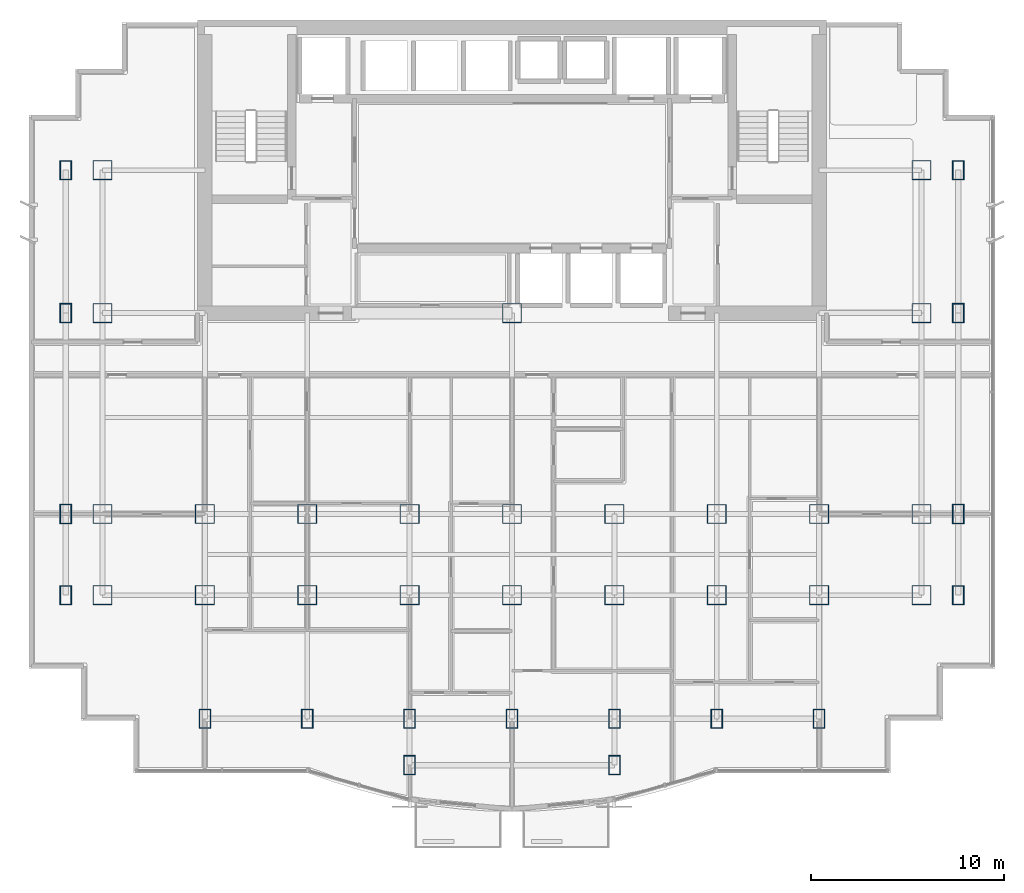
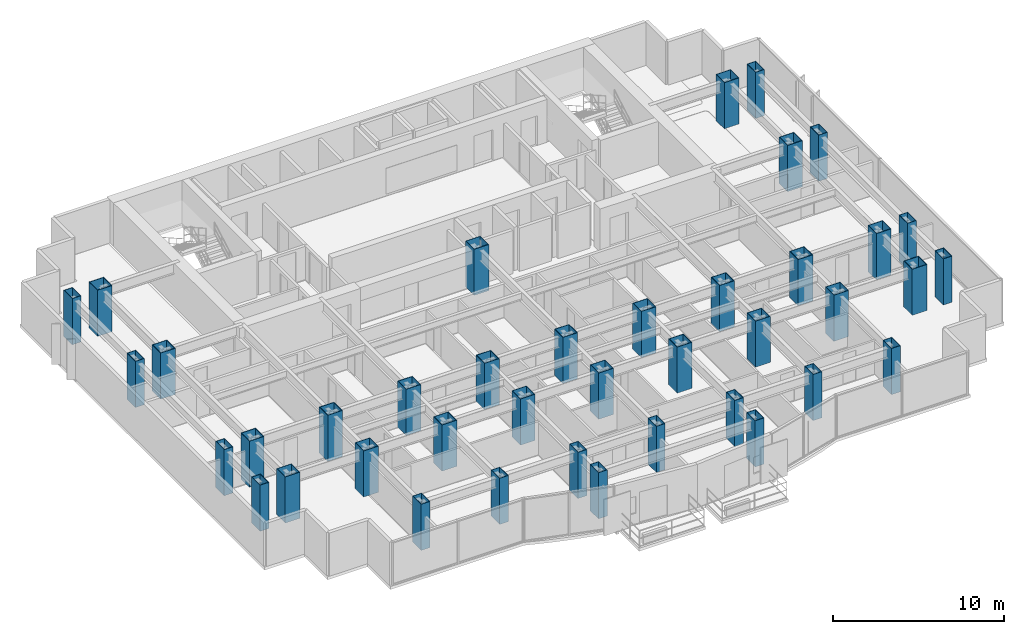
# One storey, part 1 of 12: 40 columns.
"""IFC4 building model written with IfcOpenShell, lengths in metres."""

import ifcopenshell
import ifcopenshell.guid

model = None  # the IFC model being written
_history = None  # IfcOwnerHistory: only IFC2X3 demands one
_inside = {}  # id of a spatial element -> (the spatial element, [elements in it])
_under = {}  # id of a project, library or spatial element -> (it, [spatial elements below it])
_declared = {}  # id of a project -> (the project, [libraries it declares])
_typed = {}  # id of a type object -> (the type object, [elements of that type])
_made_of = {}  # id of a material, layer set ... -> (it, [elements and type objects made of it])


def new_model(schema):
    """Start an empty IFC model of exactly this schema.

    Asked for "IFC4X3", IfcOpenShell would pick the latest addendum, in which some entities
    have other attributes; the version numbers below select the first issue.
    IFC2X3 requires an IfcOwnerHistory on every rooted entity: one is made here for all.
    """
    global model, _history
    if schema == "IFC4X3":
        model = ifcopenshell.file(schema_version=(4, 3, 0, 0))
    else:
        model = ifcopenshell.file(schema=schema)
    _inside.clear()
    _under.clear()
    _declared.clear()
    _typed.clear()
    _made_of.clear()
    _history = None
    if model.schema == "IFC2X3":
        org = make("IfcOrganization", Name="unknown")
        user = make(
            "IfcPersonAndOrganization",
            ThePerson=make("IfcPerson", FamilyName="unknown"),
            TheOrganization=org,
        )
        app = make(
            "IfcApplication",
            ApplicationDeveloper=org,
            Version="unknown",
            ApplicationFullName="unknown",
            ApplicationIdentifier="unknown",
        )
        _history = make(
            "IfcOwnerHistory",
            OwningUser=user,
            OwningApplication=app,
            ChangeAction="ADDED",
            CreationDate=0,
        )
    return model


def make(cls, **values):
    """One entity of the class cls with the attributes given. An attribute that is None is left unset."""
    return model.create_entity(
        cls, **{name: value for name, value in values.items() if value is not None}
    )


def rooted(cls, **values):
    """An entity with a GlobalId (a new one), such as an element, a storey or a relation."""
    return make(cls, GlobalId=ifcopenshell.guid.new(), OwnerHistory=_history, **values)


def si_unit(unit_type, name, prefix=None):
    """IfcSIUnit, for example si_unit("LENGTHUNIT", "METRE", prefix="MILLI")."""
    return make("IfcSIUnit", UnitType=unit_type, Prefix=prefix, Name=name)


def assignment(units):
    """IfcUnitAssignment: the units of a project."""
    return None if units is None else make("IfcUnitAssignment", Units=units)


def point(xyz):
    """IfcCartesianPoint."""
    return None if xyz is None else make("IfcCartesianPoint", Coordinates=xyz)


def direction(xyz):
    """IfcDirection."""
    return None if xyz is None else make("IfcDirection", DirectionRatios=xyz)


def frame(location, z_axis=None, x_axis=None):
    """IfcAxis2Placement3D, a coordinate frame: its origin and axes. An axis left out is left unset."""
    return make(
        "IfcAxis2Placement3D",
        Location=point(location),
        Axis=direction(z_axis),
        RefDirection=direction(x_axis),
    )


def frame_2d(location, x_axis=None):
    """IfcAxis2Placement2D, a coordinate frame in the plane: its origin and x axis."""
    return make(
        "IfcAxis2Placement2D", Location=point(location), RefDirection=direction(x_axis)
    )


def origin():
    """The frame at (0, 0, 0) with its axes left unset."""
    return frame((0.0, 0.0, 0.0))


def origin_2d():
    """The frame at (0, 0) in the plane with its x axis left unset."""
    return frame_2d((0.0, 0.0))


def place(relative_to, where):
    """IfcLocalPlacement: puts the frame where relative to a parent placement (None: the world)."""
    return make(
        "IfcLocalPlacement", PlacementRelTo=relative_to, RelativePlacement=where
    )


def context(
    kind, dimensions, precision=None, world=None, true_north=None, identifier=None
):
    """IfcGeometricRepresentationContext, for example the 3D "Model" context."""
    return make(
        "IfcGeometricRepresentationContext",
        ContextIdentifier=identifier,
        ContextType=kind,
        CoordinateSpaceDimension=dimensions,
        Precision=precision,
        WorldCoordinateSystem=world,
        TrueNorth=true_north,
    )


def subcontext(parent, identifier, kind, view, scale=None):
    """IfcGeometricRepresentationSubContext, for example "Body" below "Model"."""
    return make(
        "IfcGeometricRepresentationSubContext",
        ContextIdentifier=identifier,
        ContextType=kind,
        ParentContext=parent,
        TargetScale=scale,
        TargetView=view,
    )


def project(units=None, contexts=None):
    """IfcProject with its units and contexts."""
    return rooted(
        "IfcProject",
        Name="project",
        RepresentationContexts=contexts,
        UnitsInContext=assignment(units),
    )


def spatial(cls, under=None, at=None, **own):
    """A site, building, storey or space (cls), placed at a placement, below another one or the project."""
    s = rooted(cls, ObjectPlacement=at, **own)
    if under is not None:
        _under.setdefault(under.id(), (under, []))[1].append(s)
    return s


def profile(cls, at=None, kind="AREA", **sizes):
    """A parametric profile (cls). Its sizes go by their IFC names, for example OverallWidth=200.0."""
    return make(cls, ProfileType=kind, Position=at, **sizes)


def hollow_rectangle(**sizes):
    """IfcRectangleHollowProfileDef."""
    return profile("IfcRectangleHollowProfileDef", **sizes)


def extrude(swept, where, along, depth):
    """IfcExtrudedAreaSolid: the profile swept, set in the frame where, extruded along a direction by depth."""
    return make(
        "IfcExtrudedAreaSolid",
        SweptArea=swept,
        Position=where,
        ExtrudedDirection=direction(along),
        Depth=depth,
    )


def shape(context_of_items, identifier, shape_type, items):
    """IfcShapeRepresentation: the items that make up one representation, for example the "Body"."""
    return make(
        "IfcShapeRepresentation",
        ContextOfItems=context_of_items,
        RepresentationIdentifier=identifier,
        RepresentationType=shape_type,
        Items=items,
    )


def material(Name=None, Category=None):
    """IfcMaterial."""
    return make("IfcMaterial", Name=Name, Category=Category)


def material_profile(
    of_material, cross_section, Name=None, Category=None, Priority=None
):
    """IfcMaterialProfile: a cross section and its material."""
    return make(
        "IfcMaterialProfile",
        Name=Name,
        Material=of_material,
        Profile=cross_section,
        Priority=Priority,
        Category=Category,
    )


def profile_set(profiles, Name=None, composite=None):
    """IfcMaterialProfileSet."""
    return make(
        "IfcMaterialProfileSet",
        Name=Name,
        MaterialProfiles=profiles,
        CompositeProfile=composite,
    )


def made_of(thing, what):
    """Note that an element or type object is made of a material, layer set ...; save() writes the relation."""
    if what is not None:
        _made_of.setdefault(what.id(), (what, []))[1].append(thing)
    return thing


def type_object(cls, material=None, **own):
    """A type object (cls), such as IfcWallType, which elements share."""
    return made_of(rooted(cls, **own), material)


def element(
    cls,
    number,
    at=None,
    inside=None,
    cuts=None,
    type_object=None,
    material=None,
    context=None,
    identifier="Body",
    shape_type=None,
    held_by="IfcProductDefinitionShape",
    body=None,
    shapes=None,
    **own,
):
    """One element of the class cls, such as IfcWall. Its Tag is "e" and its number.

    at: its placement. inside: the storey or other place that contains it. cuts: it is an
    opening in that element (IfcRelVoidsElement). A single representation is given by context,
    identifier, shape_type and body (its items); several are given by shapes. held_by: the class
    of the entity that holds the representations. save() writes the other relations.
    """
    e = rooted(cls, Tag="e%d" % number, ObjectPlacement=at, **own)
    if body is not None:
        shapes = [shape(context, identifier, shape_type, body)]
    if shapes is not None:
        e.Representation = make(held_by, Representations=shapes)
    if inside is not None:
        _inside.setdefault(inside.id(), (inside, []))[1].append(e)
    if cuts is not None:
        rooted(
            "IfcRelVoidsElement", RelatingBuildingElement=cuts, RelatedOpeningElement=e
        )
    if type_object is not None:
        _typed.setdefault(type_object.id(), (type_object, []))[1].append(e)
    return made_of(e, material)


def aggregate(whole, parts):
    """IfcRelAggregates: a whole, such as a stair, and the parts it consists of."""
    return rooted("IfcRelAggregates", RelatingObject=whole, RelatedObjects=parts)


def save(model, path):
    """Write the relations noted so far, then the file.

    IfcRelAggregates (storeys below a building ...), IfcRelContainedInSpatialStructure (elements
    in a storey), IfcRelDefinesByType, IfcRelAssociatesMaterial and IfcRelDeclares: one each for
    every whole, place, type object, material and project.
    """
    for whole, parts in _under.values():
        aggregate(whole, parts)
    for where, things in _inside.values():
        rooted(
            "IfcRelContainedInSpatialStructure",
            RelatedElements=things,
            RelatingStructure=where,
        )
    for kind, things in _typed.values():
        rooted("IfcRelDefinesByType", RelatedObjects=things, RelatingType=kind)
    for what, things in _made_of.values():
        rooted("IfcRelAssociatesMaterial", RelatedObjects=things, RelatingMaterial=what)
    for by, libraries in _declared.values():
        rooted("IfcRelDeclares", RelatingContext=by, RelatedDefinitions=libraries)
    model.write(path)


model = new_model("IFC4")

# Units and contexts
model_context = context("Model", 3, precision=1e-05, world=origin(), true_north=direction((0.0, 1.0)))
body_context = subcontext(model_context, "Body", "Model", "MODEL_VIEW")
ifc_project = project(units=[si_unit("LENGTHUNIT", "METRE"), si_unit("AREAUNIT", "SQUARE_METRE"), si_unit("VOLUMEUNIT", "CUBIC_METRE"), si_unit("PLANEANGLEUNIT", "RADIAN"), si_unit("MASSUNIT", "GRAM", prefix="KILO")], contexts=[model_context])

# Site, building, storey
site_placement = place(None, origin())
site = spatial("IfcSite", under=ifc_project, at=site_placement, CompositionType="ELEMENT")
building_placement = place(site_placement, origin())
building = spatial("IfcBuilding", under=site, at=building_placement, Name="Qianlan Lanfeng Residences", CompositionType="ELEMENT")
storey_placement = place(building_placement, frame((0.0, 0.0, 101.5)))
storey = spatial("IfcBuildingStorey", under=building, at=storey_placement, Name="L27", CompositionType="ELEMENT", Elevation=101.5)

# Columns
ifc_material = material(Name="Steel SN490B", Category="steel")
ifc_material_profile_1 = material_profile(ifc_material, hollow_rectangle(XDim=1.0, YDim=1.0, WallThickness=0.035888671875, at=origin_2d()), Name="BOX 1000x1000x36")
ifc_profile_set_1 = profile_set([ifc_material_profile_1], Name="Steel SN490B")
column_type_1 = type_object("IfcColumnType", Name="C-B1200", PredefinedType="COLUMN", material=ifc_profile_set_1)
for number, where, z_axis, x_axis, name in (
    (1, (26.5, 25.199951171875, 0.0), (0.0, 0.0, 1.0), (1.0, 0.0, 0.0), "L27 Structural Column CP_26.5_25.2"),
    (2, (10.60009765625, 14.800048828125, 0.0), (0.0, 0.0, 1.0), (1.0, 0.0, 0.0), "L27 Structural Column M_10.60_14.80"),
    (3, (10.60009765625, 10.60009765625, 0.0), (0.0, 0.0, 1.0), (1.0, 0.0, 0.0), "L27 Structural Column G_10.60_10.60"),
    (4, (15.89990234375, 14.800048828125, 0.0), (0.0, 0.0, 1.0), (1.0, 0.0, 0.0), "L27 Structural Column M_15.90_14.80"),
    (5, (15.89990234375, 10.60009765625, 0.0), (0.0, 0.0, 1.0), (1.0, 0.0, 0.0), "L27 Structural Column G_15.90_10.60"),
    (6, (21.199951171875, 14.800048828125, 0.0), (0.0, 0.0, 1.0), (1.0, 0.0, 0.0), "L27 Structural Column M_21.20_14.80"),
    (7, (21.199951171875, 10.60009765625, 0.0), (0.0, 0.0, 1.0), (1.0, 0.0, 0.0), "L27 Structural Column G_21.20_10.60"),
    (8, (26.5, 14.800048828125, 0.0), (0.0, 0.0, 1.0), (1.0, 0.0, 0.0), "L27 Structural Column M_26.50_14.80"),
    (9, (26.5, 10.60009765625, 0.0), (0.0, 0.0, 1.0), (1.0, 0.0, 0.0), "L27 Structural Column G_26.50_10.60"),
    (10, (31.800048828125, 14.800048828125, 0.0), (0.0, 0.0, 1.0), (1.0, 0.0, 0.0), "L27 Structural Column M_31.80_14.80"),
    (11, (31.800048828125, 10.60009765625, 0.0), (0.0, 0.0, 1.0), (1.0, 0.0, 0.0), "L27 Structural Column G_31.80_10.60"),
    (12, (37.10009765625, 14.800048828125, 0.0), (0.0, 0.0, 1.0), (1.0, 0.0, 0.0), "L27 Structural Column M_37.10_14.80"),
    (13, (37.10009765625, 10.60009765625, 0.0), (0.0, 0.0, 1.0), (1.0, 0.0, 0.0), "L27 Structural Column G_37.10_10.60"),
    (14, (42.39990234375, 14.800048828125, 0.0), (0.0, 0.0, 1.0), (1.0, 0.0, 0.0), "L27 Structural Column M_42.40_14.80"),
    (15, (42.39990234375, 10.60009765625, 0.0), (0.0, 0.0, 1.0), (1.0, 0.0, 0.0), "L27 Structural Column G_42.40_10.60"),
    (16, (5.300048828125, 10.60009765625, 0.0), (0.0, 0.0, 1.0), (1.0, 0.0, 0.0), "L27 Structural Column W_5.30_10.60"),
    (17, (5.300048828125, 14.800048828125, 0.0), (0.0, 0.0, 1.0), (1.0, 0.0, 0.0), "L27 Structural Column W_5.30_14.80"),
    (18, (5.300048828125, 25.199951171875, 0.0), (0.0, 0.0, 1.0), (1.0, 0.0, 0.0), "L27 Structural Column W_5.30_25.20"),
    (19, (5.300048828125, 32.60009765625, 0.0), (0.0, 0.0, 1.0), (1.0, 0.0, 0.0), "L27 Structural Column W_5.30_32.60"),
    (20, (47.699951171875, 10.60009765625, 0.0), (0.0, 0.0, 1.0), (1.0, 0.0, 0.0), "L27 Structural Column W_47.70_10.60"),
    (21, (47.699951171875, 14.800048828125, 0.0), (0.0, 0.0, 1.0), (1.0, 0.0, 0.0), "L27 Structural Column W_47.70_14.80"),
    (22, (47.699951171875, 25.199951171875, 0.0), (0.0, 0.0, 1.0), (1.0, 0.0, 0.0), "L27 Structural Column W_47.70_25.20"),
    (23, (47.699951171875, 32.60009765625, 0.0), (0.0, 0.0, 1.0), (1.0, 0.0, 0.0), "L27 Structural Column W_47.70_32.60"),
):
    element("IfcColumn", number, at=place(storey_placement, frame(where, z_axis=z_axis, x_axis=x_axis)), inside=storey, type_object=column_type_1, Name=name, PredefinedType="COLUMN", context=body_context, shape_type="SweptSolid", body=[
        extrude(hollow_rectangle(XDim=1.0, YDim=1.0, WallThickness=0.035888671875, at=origin_2d()), origin(), (0.0, 0.0, 1.0), 3.300048828125),
    ])
ifc_material_profile_2 = material_profile(ifc_material, hollow_rectangle(XDim=0.60009765625, YDim=1.0, WallThickness=0.031982421875, at=origin_2d()), Name="BOX 1000x600x32")
ifc_profile_set_2 = profile_set([ifc_material_profile_2], Name="Steel SN490B")
column_type_2 = type_object("IfcColumnType", Name="CE-B1100", PredefinedType="COLUMN", material=ifc_profile_set_2)
for number, where, z_axis, x_axis, name in (
    (24, (21.199951171875, 1.800048828125, 0.0), (0.0, 0.0, 1.0), (1.0, 0.0, 0.0), "L27 Structural Column P_21.20_1.80"),
    (25, (31.800048828125, 1.800048828125, 0.0), (0.0, 0.0, 1.0), (1.0, 0.0, 0.0), "L27 Structural Column P_31.80_1.80"),
    (26, (10.60009765625, 4.199951171875, 0.0), (0.0, 0.0, 1.0), (1.0, 0.0, 0.0), "L27 Structural Column S_10.60_4.20"),
    (27, (15.89990234375, 4.199951171875, 0.0), (0.0, 0.0, 1.0), (1.0, 0.0, 0.0), "L27 Structural Column S_15.90_4.20"),
    (28, (21.199951171875, 4.199951171875, 0.0), (0.0, 0.0, 1.0), (1.0, 0.0, 0.0), "L27 Structural Column S_21.20_4.20"),
    (29, (26.5, 4.199951171875, 0.0), (0.0, 0.0, 1.0), (1.0, 0.0, 0.0), "L27 Structural Column S_26.50_4.20"),
    (30, (31.800048828125, 4.199951171875, 0.0), (0.0, 0.0, 1.0), (1.0, 0.0, 0.0), "L27 Structural Column S_31.80_4.20"),
    (31, (37.10009765625, 4.199951171875, 0.0), (0.0, 0.0, 1.0), (1.0, 0.0, 0.0), "L27 Structural Column S_37.10_4.20"),
    (32, (42.39990234375, 4.199951171875, 0.0), (0.0, 0.0, 1.0), (1.0, 0.0, 0.0), "L27 Structural Column S_42.40_4.20"),
    (33, (3.39990234375, 10.60009765625, 0.0), (0.0, 0.0, 1.0), (1.0, 0.0, 0.0), "L27 Structural Column W_3.40_10.60"),
    (34, (3.39990234375, 14.800048828125, 0.0), (0.0, 0.0, 1.0), (1.0, 0.0, 0.0), "L27 Structural Column W_3.40_14.80"),
    (35, (3.39990234375, 25.199951171875, 0.0), (0.0, 0.0, 1.0), (1.0, 0.0, 0.0), "L27 Structural Column W_3.40_25.20"),
    (36, (3.39990234375, 32.60009765625, 0.0), (0.0, 0.0, 1.0), (1.0, 0.0, 0.0), "L27 Structural Column W_3.40_32.60"),
    (37, (49.60009765625, 10.60009765625, 0.0), (0.0, 0.0, 1.0), (1.0, 0.0, 0.0), "L27 Structural Column W_49.60_10.60"),
    (38, (49.60009765625, 14.800048828125, 0.0), (0.0, 0.0, 1.0), (1.0, 0.0, 0.0), "L27 Structural Column W_49.60_14.80"),
    (39, (49.60009765625, 25.199951171875, 0.0), (0.0, 0.0, 1.0), (1.0, 0.0, 0.0), "L27 Structural Column W_49.60_25.20"),
    (40, (49.60009765625, 32.60009765625, 0.0), (0.0, 0.0, 1.0), (1.0, 0.0, 0.0), "L27 Structural Column W_49.60_32.60"),
):
    element("IfcColumn", number, at=place(storey_placement, frame(where, z_axis=z_axis, x_axis=x_axis)), inside=storey, type_object=column_type_2, Name=name, PredefinedType="COLUMN", context=body_context, shape_type="SweptSolid", body=[
        extrude(hollow_rectangle(XDim=0.60009765625, YDim=1.0, WallThickness=0.031982421875, at=origin_2d()), origin(), (0.0, 0.0, 1.0), 3.300048828125),
    ])

save(model, "model.ifc")
